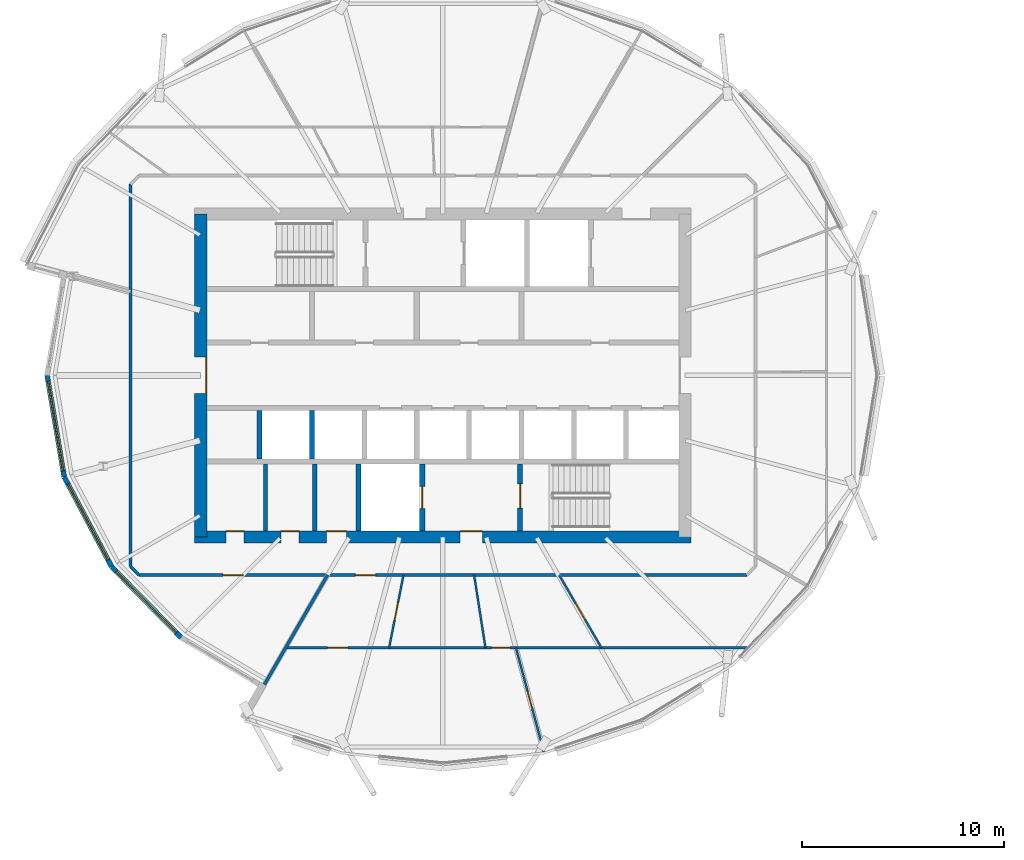
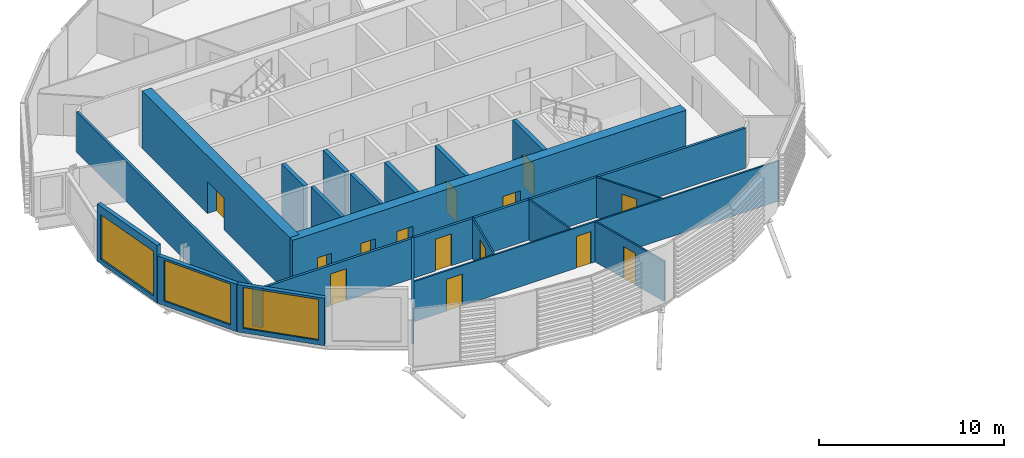
# One storey, part 18 of 36: 22 walls, 14 doors, 3 windows, 17 openings.
"""IFC4 building model written with IfcOpenShell, lengths in metres."""

from ifc_helpers import new_model, si_unit, direction, frame, frame_2d, origin, place, context, subcontext, project, spatial, rectangle, extrude, material, layer, layer_set, type_object, element, fill, save


model = new_model("IFC4")

# Units and contexts
model_context = context("Model", 3, precision=1e-05, world=origin(), true_north=direction((0.0, 1.0)))
body_context = subcontext(model_context, "Body", "Model", "MODEL_VIEW")
ifc_project = project(units=[si_unit("LENGTHUNIT", "METRE"), si_unit("AREAUNIT", "SQUARE_METRE"), si_unit("VOLUMEUNIT", "CUBIC_METRE"), si_unit("PLANEANGLEUNIT", "RADIAN"), si_unit("MASSUNIT", "GRAM", prefix="KILO")], contexts=[model_context])

# Site, building, storey
site_placement = place(None, origin())
site = spatial("IfcSite", under=ifc_project, at=site_placement, CompositionType="ELEMENT")
building_placement = place(site_placement, origin())
building = spatial("IfcBuilding", under=site, at=building_placement, Name="Rimbun Link Towers", CompositionType="ELEMENT")
storey_placement = place(building_placement, frame((0.0, 0.0, 200.699951171875)))
storey = spatial("IfcBuildingStorey", under=building, at=storey_placement, Name="L49", CompositionType="ELEMENT", Elevation=200.699951171875)

# Wall, opening, window
ifc_material_1 = material(Name="Dark enamelled glass spandrel on insulated aluminium backpan", Category="aluminium")
ifc_layer_1 = layer(ifc_material_1, 0.25)
ifc_layer_set_1 = layer_set([ifc_layer_1], Name="CS dark enamelled spandrel wall 250")
wall_type_1 = type_object("IfcWallType", Name="CS dark enamelled spandrel wall 250", PredefinedType="STANDARD", material=ifc_layer_set_1)
wall_1_placement = place(storey_placement, frame((-50.514892578125, -5.036376953125, 0.0), z_axis=(0.0, 0.0, 1.0), x_axis=(-0.165553983504, 0.986200729338, 0.0)))
wall_1 = element("IfcWall", 1, at=wall_1_placement, inside=storey, type_object=wall_type_1, Name="Crease spandrel wall", PredefinedType="STANDARD", context=body_context, shape_type="SweptSolid", body=[
    extrude(rectangle(XDim=5.10693359375, YDim=0.25, at=frame_2d((2.553466796875, 0.0))), origin(), (0.0, 0.0, 1.0), 3.800048828125),
])
opening_1_placement = place(wall_1_placement, frame((0.303466796875, 0.0, 0.300048828125)))
opening_1 = element("IfcOpeningElement", 2, at=opening_1_placement, cuts=wall_1, Name="Opening WR45H295", PredefinedType="OPENING", context=body_context, shape_type="SweptSolid", body=[
    extrude(rectangle(XDim=4.5, YDim=2.949951171875, at=frame_2d((2.25, 1.47509765625))), frame((0.0, 0.135009765625, 0.0), z_axis=(0.0, -1.0, 0.0), x_axis=(1.0, 0.0, 0.0)), (0.0, 0.0, 1.0), 0.27001953125),
])
ifc_material_2 = material(Name="Aluminium framed fixed window, dark tinted low-e glass", Category="aluminium")
window_type_1 = type_object("IfcWindowType", Name="WR ribbon window 4500X2950", PartitioningType="SINGLE_PANEL", PredefinedType="WINDOW", material=ifc_material_2)
window_1_placement = place(opening_1_placement, origin())
window_1 = element("IfcWindow", 3, at=window_1_placement, inside=storey, type_object=window_type_1, Name="Crease ribbon window", OverallHeight=2.949951171875, OverallWidth=4.5, PartitioningType="SINGLE_PANEL", PredefinedType="WINDOW", context=body_context, shape_type="SweptSolid", body=[
    extrude(rectangle(XDim=4.5, YDim=2.949951171875, at=frame_2d((2.25, 1.47509765625))), frame((0.0, 0.030029296875, 0.0), z_axis=(0.0, -1.0, 0.0), x_axis=(1.0, 0.0, 0.0)), (0.0, 0.0, 1.0), 0.06005859375),
])
fill(opening_1, window_1)

wall_2_placement = place(storey_placement, frame((-48.160400390625, -9.490234375, 0.0), z_axis=(0.0, 0.0, 1.0), x_axis=(-0.467355484164, 0.884069483368, 0.0)))
wall_2 = element("IfcWall", 4, at=wall_2_placement, inside=storey, type_object=wall_type_1, Name="Crease spandrel wall", PredefinedType="STANDARD", context=body_context, shape_type="SweptSolid", body=[
    extrude(rectangle(XDim=5.037841796875, YDim=0.25, at=frame_2d((2.51904296875, 0.0))), origin(), (0.0, 0.0, 1.0), 3.13671875),
])
opening_2_placement = place(wall_2_placement, frame((0.393798828125, 0.0, 0.300048828125)))
opening_2 = element("IfcOpeningElement", 5, at=opening_2_placement, cuts=wall_2, Name="Opening WR42H270", PredefinedType="OPENING", context=body_context, shape_type="SweptSolid", body=[
    extrude(rectangle(XDim=4.25, YDim=2.699951171875, at=frame_2d((2.125, 1.35009765625))), frame((0.0, 0.135009765625, 0.0), z_axis=(0.0, -1.0, 0.0), x_axis=(1.0, 0.0, 0.0)), (0.0, 0.0, 1.0), 0.27001953125),
])
ifc_material_3 = material(Name="Aluminium framed fixed window, dark tinted low-e glass", Category="aluminium")
window_type_2 = type_object("IfcWindowType", Name="WR ribbon window 4250X2700", PartitioningType="SINGLE_PANEL", PredefinedType="WINDOW", material=ifc_material_3)
window_2_placement = place(opening_2_placement, origin())
window_2 = element("IfcWindow", 6, at=window_2_placement, inside=storey, type_object=window_type_2, Name="Crease ribbon window", OverallHeight=2.699951171875, OverallWidth=4.25, PartitioningType="SINGLE_PANEL", PredefinedType="WINDOW", context=body_context, shape_type="SweptSolid", body=[
    extrude(rectangle(XDim=4.25, YDim=2.699951171875, at=frame_2d((2.125, 1.35009765625))), frame((0.0, 0.030029296875, 0.0), z_axis=(0.0, -1.0, 0.0), x_axis=(1.0, 0.0, 0.0)), (0.0, 0.0, 1.0), 0.06005859375),
])
fill(opening_2, window_2)

wall_3_placement = place(storey_placement, frame((-44.72216796875, -12.9931640625, 0.0), z_axis=(0.0, 0.0, 1.0), x_axis=(-0.700485544397, 0.713666590287, 0.0)))
wall_3 = element("IfcWall", 7, at=wall_3_placement, inside=storey, type_object=wall_type_1, Name="Crease spandrel wall", PredefinedType="STANDARD", context=body_context, shape_type="SweptSolid", body=[
    extrude(rectangle(XDim=4.908447265625, YDim=0.25, at=frame_2d((2.4541015625, 0.0))), origin(), (0.0, 0.0, 1.0), 3.13671875),
])
opening_3_placement = place(wall_3_placement, frame((0.329345703125, 0.0, 0.300048828125)))
opening_3 = element("IfcOpeningElement", 8, at=opening_3_placement, cuts=wall_3, Name="Opening WR42H270", PredefinedType="OPENING", context=body_context, shape_type="SweptSolid", body=[
    extrude(rectangle(XDim=4.25, YDim=2.699951171875, at=frame_2d((2.125, 1.35009765625))), frame((0.0, 0.135009765625, 0.0), z_axis=(0.0, -1.0, 0.0), x_axis=(1.0, 0.0, 0.0)), (0.0, 0.0, 1.0), 0.27001953125),
])
window_3_placement = place(opening_3_placement, origin())
window_3 = element("IfcWindow", 9, at=window_3_placement, inside=storey, type_object=window_type_2, Name="Crease ribbon window", OverallHeight=2.699951171875, OverallWidth=4.25, PartitioningType="SINGLE_PANEL", PredefinedType="WINDOW", context=body_context, shape_type="SweptSolid", body=[
    extrude(rectangle(XDim=4.25, YDim=2.699951171875, at=frame_2d((2.125, 1.35009765625))), frame((0.0, 0.030029296875, 0.0), z_axis=(0.0, -1.0, 0.0), x_axis=(1.0, 0.0, 0.0)), (0.0, 0.0, 1.0), 0.06005859375),
])
fill(opening_3, window_3)

# Walls
ifc_material_4 = material(Name="Masonry blockwork", Category="masonry")
ifc_layer_2 = layer(ifc_material_4, 0.199951171875)
ifc_layer_set_2 = layer_set([ifc_layer_2], Name="Core partition 200")
wall_type_2 = type_object("IfcWallType", Name="Core partition 200", PredefinedType="PARTITIONING", material=ifc_layer_set_2)
for number, where, z_axis, x_axis, name in (
    (10, (-40.550048828125, -4.39990234375, 0.0), (0.0, 0.0, 1.0), (0.0, -1.0, 0.0), "L49 T1 core wall C1"),
    (11, (-38.10009765625, -4.39990234375, 0.0), (0.0, 0.0, 1.0), (0.0, -1.0, 0.0), "L49 T1 core wall C2"),
):
    element("IfcWall", number, at=place(storey_placement, frame(where, z_axis=z_axis, x_axis=x_axis)), inside=storey, type_object=wall_type_2, Name=name, PredefinedType="PARTITIONING", context=body_context, shape_type="SweptSolid", body=[
        extrude(rectangle(XDim=3.300048828125, YDim=0.199951171875, at=frame_2d((1.64990234375, 0.0))), origin(), (0.0, 0.0, 1.0), 3.800048828125),
    ])

# Wall, openings, doors
ifc_material_5 = material(Name="Concrete C60/75", Category="concrete")
ifc_layer_3 = layer(ifc_material_5, 0.60009765625)
ifc_layer_set_3 = layer_set([ifc_layer_3], Name="Core shear wall 600")
wall_type_3 = type_object("IfcWallType", Name="Core shear wall 600", PredefinedType="SHEAR", material=ifc_layer_set_3)
wall_4_placement = place(storey_placement, frame((-44.050048828125, -8.0, 0.0), z_axis=(0.0, 0.0, 1.0), x_axis=(1.0, 0.0, 0.0)))
wall_4 = element("IfcWall", 12, at=wall_4_placement, inside=storey, type_object=wall_type_3, Name="L49 T1 core wall S", PredefinedType="SHEAR", context=body_context, shape_type="SweptSolid", body=[
    extrude(rectangle(XDim=24.60009765625, YDim=0.60009765625, at=frame_2d((12.300048828125, 0.0))), origin(), (0.0, 0.0, 1.0), 3.800048828125),
])
opening_4_placement = place(wall_4_placement, frame((13.14990234375, 0.0, 0.0)))
opening_4 = element("IfcOpeningElement", 13, at=opening_4_placement, cuts=wall_4, Name="Opening C1DCF01S", PredefinedType="OPENING", context=body_context, shape_type="SweptSolid", body=[
    extrude(rectangle(XDim=1.10009765625, YDim=2.10009765625, at=frame_2d((0.550048828125, 1.050048828125))), frame((0.0, 0.31005859375, 0.0), z_axis=(0.0, -1.0, 0.0), x_axis=(1.0, 0.0, 0.0)), (0.0, 0.0, 1.0), 0.6201171875),
])
opening_5_placement = place(wall_4_placement, frame((1.550048828125, 0.0, 0.0)))
opening_5 = element("IfcOpeningElement", 14, at=opening_5_placement, cuts=wall_4, Name="Opening C1DWC02S", PredefinedType="OPENING", context=body_context, shape_type="SweptSolid", body=[
    extrude(rectangle(XDim=0.89990234375, YDim=2.10009765625, at=frame_2d((0.449951171875, 1.050048828125))), frame((0.0, 0.31005859375, 0.0), z_axis=(0.0, -1.0, 0.0), x_axis=(1.0, 0.0, 0.0)), (0.0, 0.0, 1.0), 0.6201171875),
])
opening_6_placement = place(wall_4_placement, frame((4.27490234375, 0.0, 0.0)))
opening_6 = element("IfcOpeningElement", 15, at=opening_6_placement, cuts=wall_4, Name="Opening C1DWC03S", PredefinedType="OPENING", context=body_context, shape_type="SweptSolid", body=[
    extrude(rectangle(XDim=0.89990234375, YDim=2.10009765625, at=frame_2d((0.449951171875, 1.050048828125))), frame((0.0, 0.31005859375, 0.0), z_axis=(0.0, -1.0, 0.0), x_axis=(1.0, 0.0, 0.0)), (0.0, 0.0, 1.0), 0.6201171875),
])
opening_7_placement = place(wall_4_placement, frame((6.52490234375, 0.0, 0.0)))
opening_7 = element("IfcOpeningElement", 16, at=opening_7_placement, cuts=wall_4, Name="Opening C1DAW04S", PredefinedType="OPENING", context=body_context, shape_type="SweptSolid", body=[
    extrude(rectangle(XDim=1.0, YDim=2.10009765625, at=frame_2d((0.5, 1.050048828125))), frame((0.0, 0.31005859375, 0.0), z_axis=(0.0, -1.0, 0.0), x_axis=(1.0, 0.0, 0.0)), (0.0, 0.0, 1.0), 0.6201171875),
])
ifc_material_6 = material(Name="Timber", Category="wood")
door_type_1 = type_object("IfcDoorType", Name="Accessible WC door", OperationType="SINGLE_SWING_LEFT", PredefinedType="DOOR", material=ifc_material_6)
door_1_placement = place(opening_7_placement, origin())
door_1 = element("IfcDoor", 17, at=door_1_placement, inside=storey, type_object=door_type_1, Name="L49 T1 accessible wc door", OperationType="SINGLE_SWING_RIGHT", OverallHeight=2.10009765625, OverallWidth=1.0, PredefinedType="DOOR", context=body_context, shape_type="SweptSolid", body=[
    extrude(rectangle(XDim=1.0, YDim=2.10009765625, at=frame_2d((0.5, 1.050048828125))), frame((0.0, 0.2998046875, 0.0), z_axis=(0.0, -1.0, 0.0), x_axis=(1.0, 0.0, 0.0)), (0.0, 0.0, 1.0), 0.050048828125),
])
fill(opening_7, door_1)
ifc_material_7 = material(Name="Steel fire door set", Category="steel")
door_type_2 = type_object("IfcDoorType", Name="Core fire door single", OperationType="SINGLE_SWING_LEFT", PredefinedType="DOOR", material=ifc_material_7)
door_2_placement = place(opening_4_placement, origin())
door_2 = element("IfcDoor", 18, at=door_2_placement, inside=storey, type_object=door_type_2, Name="L49 T1 firefighting lobby s door", OperationType="SINGLE_SWING_RIGHT", OverallHeight=2.10009765625, OverallWidth=1.10009765625, PredefinedType="DOOR", context=body_context, shape_type="SweptSolid", body=[
    extrude(rectangle(XDim=1.10009765625, YDim=2.10009765625, at=frame_2d((0.550048828125, 1.050048828125))), frame((0.0, 0.2998046875, 0.0), z_axis=(0.0, -1.0, 0.0), x_axis=(1.0, 0.0, 0.0)), (0.0, 0.0, 1.0), 0.050048828125),
])
fill(opening_4, door_2)
ifc_material_8 = material(Name="Timber", Category="wood")
door_type_3 = type_object("IfcDoorType", Name="WC door", OperationType="SINGLE_SWING_LEFT", PredefinedType="DOOR", material=ifc_material_8)
door_3_placement = place(opening_5_placement, origin())
door_3 = element("IfcDoor", 19, at=door_3_placement, inside=storey, type_object=door_type_3, Name="L49 T1 male wc door", OperationType="SINGLE_SWING_RIGHT", OverallHeight=2.10009765625, OverallWidth=0.89990234375, PredefinedType="DOOR", context=body_context, shape_type="SweptSolid", body=[
    extrude(rectangle(XDim=0.89990234375, YDim=2.10009765625, at=frame_2d((0.449951171875, 1.050048828125))), frame((0.0, 0.2998046875, 0.0), z_axis=(0.0, -1.0, 0.0), x_axis=(1.0, 0.0, 0.0)), (0.0, 0.0, 1.0), 0.050048828125),
])
fill(opening_5, door_3)
door_4_placement = place(opening_6_placement, origin())
door_4 = element("IfcDoor", 20, at=door_4_placement, inside=storey, type_object=door_type_3, Name="L49 T1 female wc door", OperationType="SINGLE_SWING_RIGHT", OverallHeight=2.10009765625, OverallWidth=0.89990234375, PredefinedType="DOOR", context=body_context, shape_type="SweptSolid", body=[
    extrude(rectangle(XDim=0.89990234375, YDim=2.10009765625, at=frame_2d((0.449951171875, 1.050048828125))), frame((0.0, 0.2998046875, 0.0), z_axis=(0.0, -1.0, 0.0), x_axis=(1.0, 0.0, 0.0)), (0.0, 0.0, 1.0), 0.050048828125),
])
fill(opening_6, door_4)

# Wall, opening, door
wall_5_placement = place(storey_placement, frame((-43.75, -8.0, 0.0), z_axis=(0.0, 0.0, 1.0), x_axis=(0.0, 1.0, 0.0)))
wall_5 = element("IfcWall", 21, at=wall_5_placement, inside=storey, type_object=wall_type_3, Name="L49 T1 core wall W", PredefinedType="SHEAR", context=body_context, shape_type="SweptSolid", body=[
    extrude(rectangle(XDim=16.0, YDim=0.60009765625, at=frame_2d((8.0, 0.0))), origin(), (0.0, 0.0, 1.0), 3.800048828125),
])
opening_8_placement = place(wall_5_placement, frame((7.10009765625, 0.0, 0.0)))
opening_8 = element("IfcOpeningElement", 22, at=opening_8_placement, cuts=wall_5, Name="Opening C1DCL01W", PredefinedType="OPENING", context=body_context, shape_type="SweptSolid", body=[
    extrude(rectangle(XDim=1.800048828125, YDim=2.10009765625, at=frame_2d((0.89990234375, 1.050048828125))), frame((0.0, 0.31005859375, 0.0), z_axis=(0.0, -1.0, 0.0), x_axis=(1.0, 0.0, 0.0)), (0.0, 0.0, 1.0), 0.6201171875),
])
ifc_material_9 = material(Name="Steel fire door set", Category="steel")
door_type_4 = type_object("IfcDoorType", Name="Core lobby door double", OperationType="DOUBLE_DOOR_SINGLE_SWING", PredefinedType="DOOR", material=ifc_material_9)
door_5_placement = place(opening_8_placement, origin())
door_5 = element("IfcDoor", 23, at=door_5_placement, inside=storey, type_object=door_type_4, Name="L49 T1 lift lobby door", OperationType="DOUBLE_DOOR_SINGLE_SWING", OverallHeight=2.10009765625, OverallWidth=1.800048828125, PredefinedType="DOOR", context=body_context, shape_type="SweptSolid", body=[
    extrude(rectangle(XDim=1.800048828125, YDim=2.10009765625, at=frame_2d((0.89990234375, 1.050048828125))), frame((0.0, -0.25, 0.0), z_axis=(0.0, -1.0, 0.0), x_axis=(1.0, 0.0, 0.0)), (0.0, 0.0, 1.0), 0.050048828125),
])
fill(opening_8, door_5)

# Wall, openings, doors
ifc_material_10 = material(Name="Plasterboard on steel stud, mineral wool", Category="steel")
ifc_layer_4 = layer(ifc_material_10, 0.14990234375)
ifc_layer_set_4 = layer_set([ifc_layer_4], Name="Corridor wall EI 30 150 mm")
wall_type_4 = type_object("IfcWallType", Name="Corridor wall EI 30 150 mm", PredefinedType="PARTITIONING", material=ifc_layer_set_4)
wall_6_placement = place(storey_placement, frame((-16.6962890625, -9.89501953125, 0.0), z_axis=(0.0, 0.0, 1.0), x_axis=(-1.0, 0.0, 0.0)))
wall_6 = element("IfcWall", 24, at=wall_6_placement, inside=storey, type_object=wall_type_4, Name="Corridor wall EI 30 150 mm", PredefinedType="PARTITIONING", context=body_context, shape_type="SweptSolid", body=[
    extrude(rectangle(XDim=30.107421875, YDim=0.14990234375, at=frame_2d((15.0537109375, 0.0))), origin(), (0.0, 0.0, 1.0), 2.662109375),
])
opening_9_placement = place(wall_6_placement, frame((18.386962890625, 0.0, 0.0)))
opening_9 = element("IfcOpeningElement", 25, at=opening_9_placement, cuts=wall_6, Name="Opening D01", PredefinedType="OPENING", context=body_context, shape_type="SweptSolid", body=[
    extrude(rectangle(XDim=1.0, YDim=2.10009765625, at=frame_2d((0.5, 1.050048828125))), frame((0.0, 0.0849609375, 0.0), z_axis=(0.0, -1.0, 0.0), x_axis=(1.0, 0.0, 0.0)), (0.0, 0.0, 1.0), 0.169921875),
])
opening_10_placement = place(wall_6_placement, frame((24.93701171875, 0.0, 0.0)))
opening_10 = element("IfcOpeningElement", 26, at=opening_10_placement, cuts=wall_6, Name="Opening D01", PredefinedType="OPENING", context=body_context, shape_type="SweptSolid", body=[
    extrude(rectangle(XDim=1.0, YDim=2.10009765625, at=frame_2d((0.5, 1.050048828125))), frame((0.0, 0.0849609375, 0.0), z_axis=(0.0, -1.0, 0.0), x_axis=(1.0, 0.0, 0.0)), (0.0, 0.0, 1.0), 0.169921875),
])
ifc_material_11 = material(Name="Fire-resisting timber door leaf", Category="wood")
door_type_5 = type_object("IfcDoorType", Name="Fire door FD30S 1000", OperationType="NOTDEFINED", PredefinedType="DOOR", material=ifc_material_11)
door_6_placement = place(opening_9_placement, origin())
door_6 = element("IfcDoor", 27, at=door_6_placement, inside=storey, type_object=door_type_5, Name="Fire door FD30S 1000 to Tenant lobby", OperationType="SINGLE_SWING_LEFT", OverallHeight=2.10009765625, OverallWidth=1.0, PredefinedType="DOOR", context=body_context, shape_type="SweptSolid", body=[
    extrude(rectangle(XDim=1.0, YDim=2.10009765625, at=frame_2d((0.5, 1.050048828125))), frame((0.0, 0.02490234375, 0.0), z_axis=(0.0, -1.0, 0.0), x_axis=(1.0, 0.0, 0.0)), (0.0, 0.0, 1.0), 0.050048828125),
])
fill(opening_9, door_6)
door_7_placement = place(opening_10_placement, origin())
door_7 = element("IfcDoor", 28, at=door_7_placement, inside=storey, type_object=door_type_5, Name="Fire door FD30S 1000 to Terrace office", OperationType="SINGLE_SWING_RIGHT", OverallHeight=2.10009765625, OverallWidth=1.0, PredefinedType="DOOR", context=body_context, shape_type="SweptSolid", body=[
    extrude(rectangle(XDim=1.0, YDim=2.10009765625, at=frame_2d((0.5, 1.050048828125))), frame((0.0, 0.02490234375, 0.0), z_axis=(0.0, -1.0, 0.0), x_axis=(1.0, 0.0, 0.0)), (0.0, 0.0, 1.0), 0.050048828125),
])
fill(opening_10, door_7)

# Walls
wall_7_placement = place(storey_placement, frame((-47.22509765625, -9.4736328125, 0.0), z_axis=(0.0, 0.0, 1.0), x_axis=(0.707106781187, -0.707106781187, 0.0)))
element("IfcWall", 29, at=wall_7_placement, inside=storey, type_object=wall_type_4, Name="Corridor wall EI 30 150 mm", PredefinedType="PARTITIONING", context=body_context, shape_type="SweptSolid", body=[
    extrude(rectangle(XDim=0.595947265625, YDim=0.14990234375, at=frame_2d((0.2978515625, 0.0))), origin(), (0.0, 0.0, 1.0), 2.662109375),
])
wall_8_placement = place(storey_placement, frame((-47.22509765625, 9.4736328125, 0.0), z_axis=(0.0, 0.0, 1.0), x_axis=(0.0, -1.0, 0.0)))
element("IfcWall", 30, at=wall_8_placement, inside=storey, type_object=wall_type_4, Name="Corridor wall EI 30 150 mm", PredefinedType="PARTITIONING", context=body_context, shape_type="SweptSolid", body=[
    extrude(rectangle(XDim=18.947265625, YDim=0.14990234375, at=frame_2d((9.4736328125, 0.0))), origin(), (0.0, 0.0, 1.0), 2.662109375),
])

# Wall, opening, door
ifc_material_12 = material(Name="Plasterboard on steel stud", Category="steel")
ifc_layer_5 = layer(ifc_material_12, 0.10009765625)
ifc_layer_set_5 = layer_set([ifc_layer_5], Name="Plasterboard partition 100 mm")
wall_type_5 = type_object("IfcWallType", Name="Plasterboard partition 100 mm", PredefinedType="PARTITIONING", material=ifc_layer_set_5)
wall_9_placement = place(storey_placement, frame((-33.703857421875, -9.89501953125, 0.0), z_axis=(0.0, 0.0, 1.0), x_axis=(-0.193735824975, -0.981053734574, 0.0)))
wall_9 = element("IfcWall", 31, at=wall_9_placement, inside=storey, type_object=wall_type_5, Name="Plasterboard partition 100 mm", PredefinedType="PARTITIONING", context=body_context, shape_type="SweptSolid", body=[
    extrude(rectangle(XDim=3.669677734375, YDim=0.10009765625, at=frame_2d((1.8349609375, 0.0))), origin(), (0.0, 0.0, 1.0), 2.662109375),
])
opening_11_placement = place(wall_9_placement, frame((1.384765625, 0.0, 0.0)))
opening_11 = element("IfcOpeningElement", 32, at=opening_11_placement, cuts=wall_9, Name="Opening D04", PredefinedType="OPENING", context=body_context, shape_type="SweptSolid", body=[
    extrude(rectangle(XDim=0.89990234375, YDim=2.10009765625, at=frame_2d((0.449951171875, 1.050048828125))), frame((0.0, 0.06005859375, 0.0), z_axis=(0.0, -1.0, 0.0), x_axis=(1.0, 0.0, 0.0)), (0.0, 0.0, 1.0), 0.1201171875),
])
ifc_material_13 = material(Name="Timber door leaf", Category="wood")
door_type_6 = type_object("IfcDoorType", Name="Flush door 900", OperationType="NOTDEFINED", PredefinedType="DOOR", material=ifc_material_13)
door_8_placement = place(opening_11_placement, origin())
door_8 = element("IfcDoor", 33, at=door_8_placement, inside=storey, type_object=door_type_6, Name="Flush door 900 to Huddle room", OperationType="SINGLE_SWING_LEFT", OverallHeight=2.10009765625, OverallWidth=0.89990234375, PredefinedType="DOOR", context=body_context, shape_type="SweptSolid", body=[
    extrude(rectangle(XDim=0.89990234375, YDim=2.10009765625, at=frame_2d((0.449951171875, 1.050048828125))), frame((0.0, 0.02490234375, 0.0), z_axis=(0.0, -1.0, 0.0), x_axis=(1.0, 0.0, 0.0)), (0.0, 0.0, 1.0), 0.050048828125),
])
fill(opening_11, door_8)

# Wall, openings, doors
wall_10_placement = place(storey_placement, frame((-28.134033203125, -13.4951171875, 0.0), z_axis=(0.0, 0.0, 1.0), x_axis=(-1.0, 0.0, 0.0)))
wall_10 = element("IfcWall", 34, at=wall_10_placement, inside=storey, type_object=wall_type_5, Name="Plasterboard partition 100 mm", PredefinedType="PARTITIONING", context=body_context, shape_type="SweptSolid", body=[
    extrude(rectangle(XDim=11.4072265625, YDim=0.10009765625, at=frame_2d((5.70361328125, 0.0))), origin(), (0.0, 0.0, 1.0), 2.662109375),
])
opening_12_placement = place(wall_10_placement, frame((8.32861328125, 0.0, 0.0)))
opening_12 = element("IfcOpeningElement", 35, at=opening_12_placement, cuts=wall_10, Name="Opening D03", PredefinedType="OPENING", context=body_context, shape_type="SweptSolid", body=[
    extrude(rectangle(XDim=1.0, YDim=2.10009765625, at=frame_2d((0.5, 1.050048828125))), frame((0.0, 0.06005859375, 0.0), z_axis=(0.0, -1.0, 0.0), x_axis=(1.0, 0.0, 0.0)), (0.0, 0.0, 1.0), 0.1201171875),
])
opening_13_placement = place(wall_10_placement, frame((0.300048828125, 0.0, 0.0)))
opening_13 = element("IfcOpeningElement", 36, at=opening_13_placement, cuts=wall_10, Name="Opening D04", PredefinedType="OPENING", context=body_context, shape_type="SweptSolid", body=[
    extrude(rectangle(XDim=0.89990234375, YDim=2.10009765625, at=frame_2d((0.449951171875, 1.050048828125))), frame((0.0, 0.06005859375, 0.0), z_axis=(0.0, -1.0, 0.0), x_axis=(1.0, 0.0, 0.0)), (0.0, 0.0, 1.0), 0.1201171875),
])
ifc_material_14 = material(Name="Timber door leaf", Category="wood")
door_type_7 = type_object("IfcDoorType", Name="Flush door 1000", OperationType="NOTDEFINED", PredefinedType="DOOR", material=ifc_material_14)
door_9_placement = place(opening_12_placement, origin())
door_9 = element("IfcDoor", 37, at=door_9_placement, inside=storey, type_object=door_type_7, Name="Flush door 1000 to Open office", OperationType="SINGLE_SWING_RIGHT", OverallHeight=2.10009765625, OverallWidth=1.0, PredefinedType="DOOR", context=body_context, shape_type="SweptSolid", body=[
    extrude(rectangle(XDim=1.0, YDim=2.10009765625, at=frame_2d((0.5, 1.050048828125))), frame((0.0, 0.02490234375, 0.0), z_axis=(0.0, -1.0, 0.0), x_axis=(1.0, 0.0, 0.0)), (0.0, 0.0, 1.0), 0.050048828125),
])
fill(opening_12, door_9)
door_10_placement = place(opening_13_placement, origin())
door_10 = element("IfcDoor", 38, at=door_10_placement, inside=storey, type_object=door_type_6, Name="Flush door 900 to Huddle room", OperationType="SINGLE_SWING_LEFT", OverallHeight=2.10009765625, OverallWidth=0.89990234375, PredefinedType="DOOR", context=body_context, shape_type="SweptSolid", body=[
    extrude(rectangle(XDim=0.89990234375, YDim=2.10009765625, at=frame_2d((0.449951171875, 1.050048828125))), frame((0.0, 0.02490234375, 0.0), z_axis=(0.0, -1.0, 0.0), x_axis=(1.0, 0.0, 0.0)), (0.0, 0.0, 1.0), 0.050048828125),
])
fill(opening_13, door_10)

# Wall
wall_11_placement = place(storey_placement, frame((-29.6416015625, -13.4951171875, 0.0), z_axis=(0.0, 0.0, 1.0), x_axis=(-0.154372792443, 0.988012672466, 0.0)))
element("IfcWall", 39, at=wall_11_placement, inside=storey, type_object=wall_type_5, Name="Plasterboard partition 100 mm", PredefinedType="PARTITIONING", context=body_context, shape_type="SweptSolid", body=[
    extrude(rectangle(XDim=3.643798828125, YDim=0.10009765625, at=frame_2d((1.82177734375, 0.0))), origin(), (0.0, 0.0, 1.0), 2.662109375),
])

# Wall, opening, door
wall_12_placement = place(storey_placement, frame((-25.991943359375, -9.89501953125, 0.0), z_axis=(0.0, 0.0, 1.0), x_axis=(0.502915871777, -0.864335366576, 0.0)))
wall_12 = element("IfcWall", 40, at=wall_12_placement, inside=storey, type_object=wall_type_5, Name="Plasterboard partition 100 mm", PredefinedType="PARTITIONING", context=body_context, shape_type="SweptSolid", body=[
    extrude(rectangle(XDim=4.165283203125, YDim=0.10009765625, at=frame_2d((2.08251953125, 0.0))), origin(), (0.0, 0.0, 1.0), 2.662109375),
])
opening_14_placement = place(wall_12_placement, frame((1.632568359375, 0.0, 0.0)))
opening_14 = element("IfcOpeningElement", 41, at=opening_14_placement, cuts=wall_12, Name="Opening D04", PredefinedType="OPENING", context=body_context, shape_type="SweptSolid", body=[
    extrude(rectangle(XDim=0.89990234375, YDim=2.10009765625, at=frame_2d((0.449951171875, 1.050048828125))), frame((0.0, 0.06005859375, 0.0), z_axis=(0.0, -1.0, 0.0), x_axis=(1.0, 0.0, 0.0)), (0.0, 0.0, 1.0), 0.1201171875),
])
door_11_placement = place(opening_14_placement, origin())
door_11 = element("IfcDoor", 42, at=door_11_placement, inside=storey, type_object=door_type_6, Name="Flush door 900 to Pantry", OperationType="SINGLE_SWING_RIGHT", OverallHeight=2.10009765625, OverallWidth=0.89990234375, PredefinedType="DOOR", context=body_context, shape_type="SweptSolid", body=[
    extrude(rectangle(XDim=0.89990234375, YDim=2.10009765625, at=frame_2d((0.449951171875, 1.050048828125))), frame((0.0, 0.02490234375, 0.0), z_axis=(0.0, -1.0, 0.0), x_axis=(1.0, 0.0, 0.0)), (0.0, 0.0, 1.0), 0.050048828125),
])
fill(opening_14, door_11)

# Wall
wall_13_placement = place(storey_placement, frame((-28.134033203125, -13.4951171875, 0.0), z_axis=(0.0, 0.0, 1.0), x_axis=(1.0, 0.0, 0.0)))
element("IfcWall", 43, at=wall_13_placement, inside=storey, type_object=wall_type_5, Name="Plasterboard partition 100 mm", PredefinedType="PARTITIONING", context=body_context, shape_type="SweptSolid", body=[
    extrude(rectangle(XDim=11.47216796875, YDim=0.10009765625, at=frame_2d((5.736083984375, 0.0))), origin(), (0.0, 0.0, 1.0), 2.662109375),
])

# Wall, opening, door
wall_14_placement = place(storey_placement, frame((-28.134033203125, -13.4951171875, 0.0), z_axis=(0.0, 0.0, 1.0), x_axis=(0.258845731319, -0.965918675344, 0.0)))
wall_14 = element("IfcWall", 44, at=wall_14_placement, inside=storey, type_object=wall_type_5, Name="Plasterboard partition 100 mm", PredefinedType="PARTITIONING", context=body_context, shape_type="SweptSolid", body=[
    extrude(rectangle(XDim=5.34228515625, YDim=0.10009765625, at=frame_2d((2.671142578125, 0.0))), origin(), (0.0, 0.0, 1.0), 2.662109375),
])
opening_15_placement = place(wall_14_placement, frame((2.22119140625, 0.0, 0.0)))
opening_15 = element("IfcOpeningElement", 45, at=opening_15_placement, cuts=wall_14, Name="Opening D04", PredefinedType="OPENING", context=body_context, shape_type="SweptSolid", body=[
    extrude(rectangle(XDim=0.89990234375, YDim=2.10009765625, at=frame_2d((0.449951171875, 1.050048828125))), frame((0.0, 0.06005859375, 0.0), z_axis=(0.0, -1.0, 0.0), x_axis=(1.0, 0.0, 0.0)), (0.0, 0.0, 1.0), 0.1201171875),
])
door_12_placement = place(opening_15_placement, origin())
door_12 = element("IfcDoor", 46, at=door_12_placement, inside=storey, type_object=door_type_6, Name="Flush door 900 to Project room", OperationType="SINGLE_SWING_LEFT", OverallHeight=2.10009765625, OverallWidth=0.89990234375, PredefinedType="DOOR", context=body_context, shape_type="SweptSolid", body=[
    extrude(rectangle(XDim=0.89990234375, YDim=2.10009765625, at=frame_2d((0.449951171875, 1.050048828125))), frame((0.0, 0.02490234375, 0.0), z_axis=(0.0, -1.0, 0.0), x_axis=(1.0, 0.0, 0.0)), (0.0, 0.0, 1.0), 0.050048828125),
])
fill(opening_15, door_12)

# Walls
ifc_material_15 = material(Name="Concrete C60/75", Category="concrete")
ifc_layer_6 = layer(ifc_material_15, 0.25)
ifc_layer_set_6 = layer_set([ifc_layer_6], Name="Shaft wall 250")
wall_type_6 = type_object("IfcWallType", Name="Shaft wall 250", PredefinedType="SHEAR", material=ifc_layer_set_6)
for number, where, z_axis, x_axis, name in (
    (47, (-40.83056640625, -4.14990234375, 0.0), (0.0, 0.0, 1.0), (0.0, 1.0, 0.0), "L49 T1 core wall DS0"),
    (48, (-38.236083984375, -4.14990234375, 0.0), (0.0, 0.0, 1.0), (0.0, 1.0, 0.0), "L49 T1 core wall DS1"),
):
    element("IfcWall", number, at=place(storey_placement, frame(where, z_axis=z_axis, x_axis=x_axis)), inside=storey, type_object=wall_type_6, Name=name, PredefinedType="SHEAR", context=body_context, shape_type="SweptSolid", body=[
        extrude(rectangle(XDim=2.39990234375, YDim=0.25, at=frame_2d((1.199951171875, 0.0))), origin(), (0.0, 0.0, 1.0), 3.800048828125),
    ])

# Wall, opening, door
wall_15_placement = place(storey_placement, frame((-27.925048828125, -4.39990234375, 0.0), z_axis=(0.0, 0.0, 1.0), x_axis=(0.0, -1.0, 0.0)))
wall_15 = element("IfcWall", 49, at=wall_15_placement, inside=storey, type_object=wall_type_6, Name="L49 T1 core wall B1", PredefinedType="SHEAR", context=body_context, shape_type="SweptSolid", body=[
    extrude(rectangle(XDim=3.300048828125, YDim=0.25, at=frame_2d((1.64990234375, 0.0))), origin(), (0.0, 0.0, 1.0), 3.800048828125),
])
opening_16_placement = place(wall_15_placement, frame((0.97509765625, 0.0, 0.0)))
opening_16 = element("IfcOpeningElement", 50, at=opening_16_placement, cuts=wall_15, Name="Opening C1DST01B1", PredefinedType="OPENING", context=body_context, shape_type="SweptSolid", body=[
    extrude(rectangle(XDim=1.199951171875, YDim=2.10009765625, at=frame_2d((0.60009765625, 1.050048828125))), frame((0.0, 0.135009765625, 0.0), z_axis=(0.0, -1.0, 0.0), x_axis=(1.0, 0.0, 0.0)), (0.0, 0.0, 1.0), 0.27001953125),
])
ifc_material_16 = material(Name="Steel fire door set", Category="steel")
door_type_8 = type_object("IfcDoorType", Name="Stair door", OperationType="SINGLE_SWING_LEFT", PredefinedType="DOOR", material=ifc_material_16)
door_13_placement = place(opening_16_placement, origin())
door_13 = element("IfcDoor", 51, at=door_13_placement, inside=storey, type_object=door_type_8, Name="L49 T1 stair b door", OperationType="SINGLE_SWING_LEFT", OverallHeight=2.10009765625, OverallWidth=1.199951171875, PredefinedType="DOOR", context=body_context, shape_type="SweptSolid", body=[
    extrude(rectangle(XDim=1.199951171875, YDim=2.10009765625, at=frame_2d((0.60009765625, 1.050048828125))), frame((0.0, 0.02490234375, 0.0), z_axis=(0.0, -1.0, 0.0), x_axis=(1.0, 0.0, 0.0)), (0.0, 0.0, 1.0), 0.050048828125),
])
fill(opening_16, door_13)

wall_16_placement = place(storey_placement, frame((-32.77490234375, -4.39990234375, 0.0), z_axis=(0.0, 0.0, 1.0), x_axis=(0.0, -1.0, 0.0)))
wall_16 = element("IfcWall", 52, at=wall_16_placement, inside=storey, type_object=wall_type_6, Name="L49 T1 core wall B2", PredefinedType="SHEAR", context=body_context, shape_type="SweptSolid", body=[
    extrude(rectangle(XDim=3.300048828125, YDim=0.25, at=frame_2d((1.64990234375, 0.0))), origin(), (0.0, 0.0, 1.0), 3.800048828125),
])
opening_17_placement = place(wall_16_placement, frame((1.10009765625, 0.0, 0.0)))
opening_17 = element("IfcOpeningElement", 53, at=opening_17_placement, cuts=wall_16, Name="Opening LD-T1-FF2", PredefinedType="OPENING", context=body_context, shape_type="SweptSolid", body=[
    extrude(rectangle(XDim=1.10009765625, YDim=2.10009765625, at=frame_2d((0.550048828125, 1.050048828125))), frame((0.0, 0.135009765625, 0.0), z_axis=(0.0, -1.0, 0.0), x_axis=(1.0, 0.0, 0.0)), (0.0, 0.0, 1.0), 0.27001953125),
])
ifc_material_17 = material(Name="Stainless steel grade 316", Category="steel")
door_type_9 = type_object("IfcDoorType", Name="Lift landing door", OperationType="DOUBLE_DOOR_SLIDING", PredefinedType="DOOR", material=ifc_material_17)
door_14_placement = place(opening_17_placement, origin())
door_14 = element("IfcDoor", 54, at=door_14_placement, inside=storey, type_object=door_type_9, Name="L49 T1 lift FF2 landing door", OperationType="DOUBLE_DOOR_SLIDING", OverallHeight=2.10009765625, OverallWidth=1.10009765625, PredefinedType="DOOR", context=body_context, shape_type="SweptSolid", body=[
    extrude(rectangle(XDim=1.10009765625, YDim=2.10009765625, at=frame_2d((0.550048828125, 1.050048828125))), frame((0.0, 0.02490234375, 0.0), z_axis=(0.0, -1.0, 0.0), x_axis=(1.0, 0.0, 0.0)), (0.0, 0.0, 1.0), 0.050048828125),
])
fill(opening_17, door_14)

# Walls
wall_17_placement = place(storey_placement, frame((-35.925048828125, -4.39990234375, 0.0), z_axis=(0.0, 0.0, 1.0), x_axis=(0.0, -1.0, 0.0)))
element("IfcWall", 55, at=wall_17_placement, inside=storey, type_object=wall_type_6, Name="L49 T1 core wall B3", PredefinedType="SHEAR", context=body_context, shape_type="SweptSolid", body=[
    extrude(rectangle(XDim=3.300048828125, YDim=0.25, at=frame_2d((1.64990234375, 0.0))), origin(), (0.0, 0.0, 1.0), 3.800048828125),
])
ifc_material_18 = material(Name="Plasterboard on steel stud, mineral wool", Category="steel")
ifc_layer_7 = layer(ifc_material_18, 0.14990234375)
ifc_layer_set_7 = layer_set([ifc_layer_7], Name="Tenancy separation wall EI 60 150 mm")
wall_type_7 = type_object("IfcWallType", Name="Tenancy separation wall EI 60 150 mm", PredefinedType="PARTITIONING", material=ifc_layer_set_7)
wall_18_placement = place(storey_placement, frame((-37.462890625, -9.89501953125, 0.0), z_axis=(0.0, 0.0, 1.0), x_axis=(-0.499984593637, -0.866034298469, 0.0)))
element("IfcWall", 56, at=wall_18_placement, inside=storey, type_object=wall_type_7, Name="Tenancy separation wall EI 60 150 mm", PredefinedType="PARTITIONING", context=body_context, shape_type="SweptSolid", body=[
    extrude(rectangle(XDim=6.261474609375, YDim=0.14990234375, at=frame_2d((3.130859375, 0.0))), origin(), (0.0, 0.0, 1.0), 2.662109375),
])

save(model, "model.ifc")
